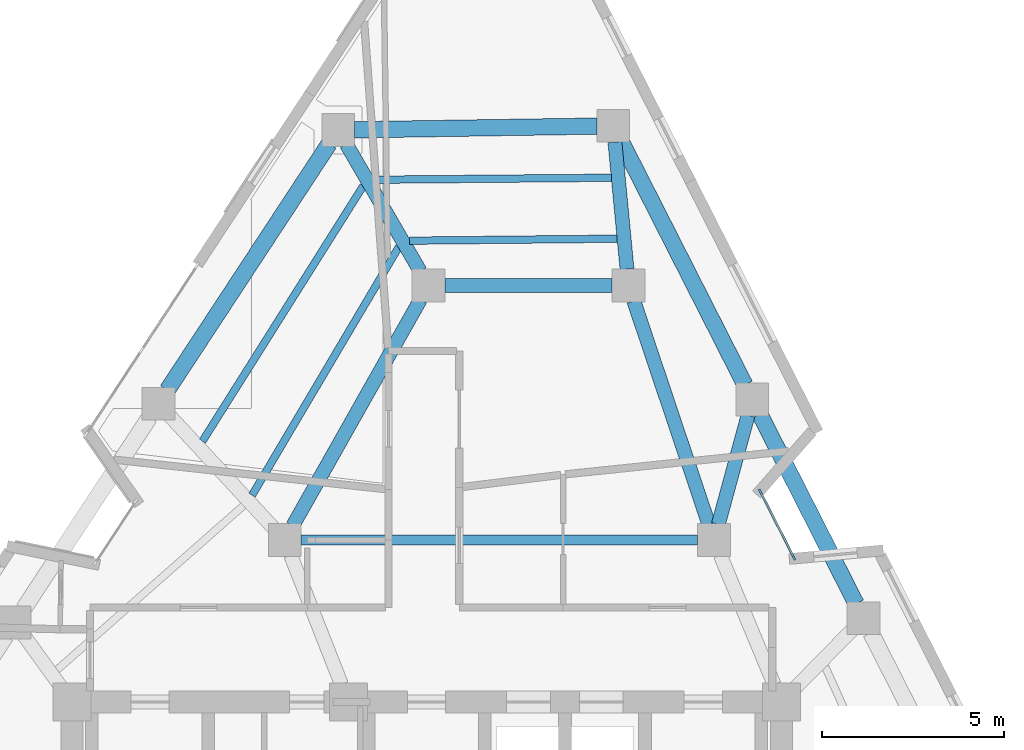
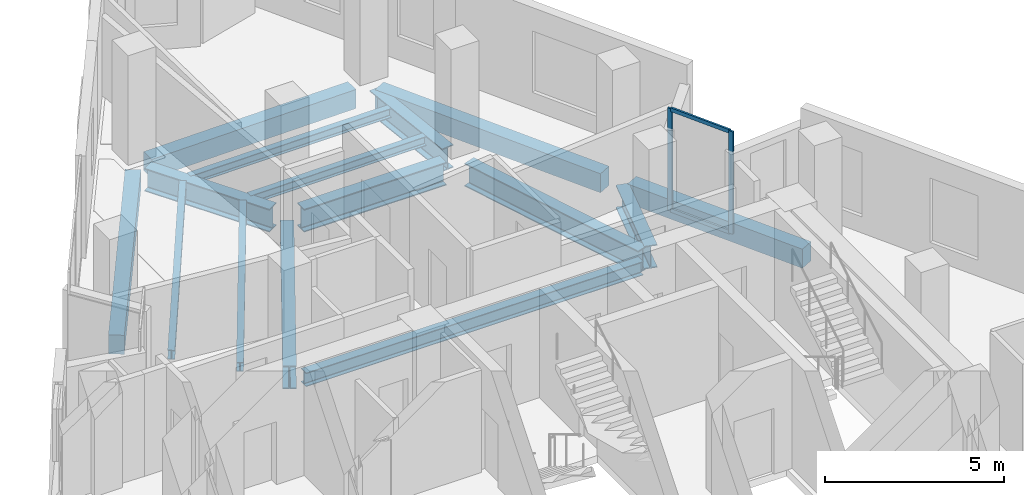
# One storey, part 3 of 8: 15 beams, 4 members, 1 element without a shape of its own.
"""IFC4 building model written with IfcOpenShell, lengths in metres."""

from ifc_helpers import new_model, si_unit, direction, frame, origin, origin_2d, place, context, subcontext, project, spatial, rectangle, i_section, extrude, material, layer, layer_set, material_profile, profile_set, type_object, element, aggregate, save


model = new_model("IFC4")

# Units and contexts
model_context = context("Model", 3, precision=1e-05, world=origin(), true_north=direction((0.0, 1.0)))
body_context = subcontext(model_context, "Body", "Model", "MODEL_VIEW")
ifc_project = project(units=[si_unit("LENGTHUNIT", "METRE"), si_unit("AREAUNIT", "SQUARE_METRE"), si_unit("VOLUMEUNIT", "CUBIC_METRE"), si_unit("PLANEANGLEUNIT", "RADIAN"), si_unit("MASSUNIT", "GRAM", prefix="KILO")], contexts=[model_context])

# Site, building, storey
site_placement = place(None, origin())
site = spatial("IfcSite", under=ifc_project, at=site_placement, CompositionType="ELEMENT")
building_placement = place(site_placement, origin())
building = spatial("IfcBuilding", under=site, at=building_placement, Name="Almagre Mirador Tower", CompositionType="ELEMENT")
storey_placement = place(building_placement, frame((0.0, 0.0, 240.75)))
storey = spatial("IfcBuildingStorey", under=building, at=storey_placement, Name="L62", CompositionType="ELEMENT", Elevation=240.75)

# Beams
ifc_material_1 = material(Name="Steel ASTM A992 Grade 50", Category="steel")
ifc_material_profile_1 = material_profile(ifc_material_1, i_section(OverallWidth=0.281982421875, OverallDepth=0.467041015625, WebThickness=0.01220703125, FlangeThickness=0.01953125, FilletRadius=0.01611328125, at=origin_2d()), Name="W18X86")
ifc_profile_set_1 = profile_set([ifc_material_profile_1], Name="Steel ASTM A992 Grade 50")
beam_type_1 = type_object("IfcBeamType", Name="BM-BAL-W18X86", PredefinedType="JOIST", material=ifc_profile_set_1)
beam_1_placement = place(storey_placement, frame((33.85009765625, 19.199951171875, -0.4833984375), z_axis=(1.0, 0.0, 0.0), x_axis=(0.0, 1.0, 0.0)))
element("IfcBeam", 1, at=beam_1_placement, inside=storey, type_object=beam_type_1, Name="L62 secondary header beam BB-01", PredefinedType="JOIST", context=body_context, shape_type="SweptSolid", body=[
    extrude(i_section(OverallWidth=0.281982421875, OverallDepth=0.467041015625, WebThickness=0.01220703125, FlangeThickness=0.01953125, FilletRadius=0.01611328125, at=origin_2d()), origin(), (0.0, 0.0, 1.0), 10.89990234375),
])
ifc_material_2 = material(Name="Steel ASTM A992 Grade 50", Category="steel")
ifc_material_profile_2 = material_profile(ifc_material_2, i_section(OverallWidth=0.205078125, OverallDepth=0.31005859375, WebThickness=0.009521484375, FlangeThickness=0.016357421875, FilletRadius=0.013916015625, at=origin_2d()), Name="W12X50")
ifc_profile_set_2 = profile_set([ifc_material_profile_2], Name="Steel ASTM A992 Grade 50")
beam_type_2 = type_object("IfcBeamType", Name="BM-JST-W12X50", PredefinedType="JOIST", material=ifc_profile_set_2)
beam_2_placement = place(storey_placement, frame((42.375732421875, 29.158447265625, -0.405029296875), z_axis=(-0.999965144262, -0.008349267155, 0.0), x_axis=(0.008349267155, -0.999965144262, 0.0)))
element("IfcBeam", 2, at=beam_2_placement, inside=storey, type_object=beam_type_2, Name="L62 secondary floor joist PC08-PC09.1", PredefinedType="JOIST", context=body_context, shape_type="SweptSolid", body=[
    extrude(i_section(OverallWidth=0.205078125, OverallDepth=0.31005859375, WebThickness=0.009521484375, FlangeThickness=0.016357421875, FilletRadius=0.013916015625, at=origin_2d()), origin(), (0.0, 0.0, 1.0), 6.520751953125),
])
beam_3_placement = place(storey_placement, frame((42.535400390625, 27.4833984375, -0.405029296875), z_axis=(-0.999954079437, -0.009583267608, 0.0), x_axis=(0.009583267608, -0.999954079437, 0.0)))
element("IfcBeam", 3, at=beam_3_placement, inside=storey, type_object=beam_type_2, Name="L62 secondary floor joist PC08-PC09.3", PredefinedType="JOIST", context=body_context, shape_type="SweptSolid", body=[
    extrude(i_section(OverallWidth=0.205078125, OverallDepth=0.31005859375, WebThickness=0.009521484375, FlangeThickness=0.016357421875, FilletRadius=0.013916015625, at=origin_2d()), origin(), (0.0, 0.0, 1.0), 5.70654296875),
])
beam_4_placement = place(storey_placement, frame((35.560791015625, 28.93994140625, -0.405029296875), z_axis=(-0.532893621274, -0.846182243022, 0.0), x_axis=(0.846182243022, -0.532893621274, 0.0)))
element("IfcBeam", 4, at=beam_4_placement, inside=storey, type_object=beam_type_2, Name="L62 secondary floor joist PC09-PC10.1", PredefinedType="JOIST", context=body_context, shape_type="SweptSolid", body=[
    extrude(i_section(OverallWidth=0.205078125, OverallDepth=0.31005859375, WebThickness=0.009521484375, FlangeThickness=0.016357421875, FilletRadius=0.013916015625, at=origin_2d()), origin(), (0.0, 0.0, 1.0), 8.300048828125),
])
beam_5_placement = place(storey_placement, frame((36.539306640625, 27.26171875, -0.405029296875), z_axis=(-0.508800898963, -0.860884222886, 0.0), x_axis=(0.860884222886, -0.508800898963, 0.0)))
element("IfcBeam", 5, at=beam_5_placement, inside=storey, type_object=beam_type_2, Name="L62 secondary floor joist PC09-PC10.3", PredefinedType="JOIST", context=body_context, shape_type="SweptSolid", body=[
    extrude(i_section(OverallWidth=0.205078125, OverallDepth=0.31005859375, WebThickness=0.009521484375, FlangeThickness=0.016357421875, FilletRadius=0.013916015625, at=origin_2d()), origin(), (0.0, 0.0, 1.0), 7.927734375),
])
ifc_material_3 = material(Name="Precast concrete C50/60", Category="concrete")
ifc_material_profile_3 = material_profile(ifc_material_3, rectangle(XDim=0.449951171875, YDim=0.64990234375, at=origin_2d()), Name="RC450X650")
ifc_profile_set_3 = profile_set([ifc_material_profile_3], Name="Precast concrete C50/60")
beam_type_3 = type_object("IfcBeamType", Name="BM-SPN-RC450X650", PredefinedType="SPANDREL", material=ifc_profile_set_3)
beam_6_placement = place(storey_placement, frame((49.104248046875, 17.4501953125, -0.574951171875), z_axis=(-0.452899170526, 0.891561742863, 0.0), x_axis=(-0.891561742863, -0.452899170526, 0.0)))
element("IfcBeam", 6, at=beam_6_placement, inside=storey, type_object=beam_type_3, Name="L62 perimeter spandrel beam PC06-PC07", PredefinedType="SPANDREL", context=body_context, shape_type="SweptSolid", body=[
    extrude(rectangle(XDim=0.449951171875, YDim=0.64990234375, at=origin_2d()), origin(), (0.0, 0.0, 1.0), 5.84765625),
])
beam_7_placement = place(storey_placement, frame((46.048095703125, 23.46630859375, -0.574951171875), z_axis=(-0.452894484788, 0.891564123128, 0.0), x_axis=(-0.891564123128, -0.452894484788, 0.0)))
element("IfcBeam", 7, at=beam_7_placement, inside=storey, type_object=beam_type_3, Name="L62 perimeter spandrel beam PC07-PC08", PredefinedType="SPANDREL", context=body_context, shape_type="SweptSolid", body=[
    extrude(rectangle(XDim=0.449951171875, YDim=0.64990234375, at=origin_2d()), origin(), (0.0, 0.0, 1.0), 7.534423828125),
])
beam_8_placement = place(storey_placement, frame((41.982177734375, 30.578125, -0.574951171875), z_axis=(-0.999882180075, -0.015350112976, 0.0), x_axis=(0.015350112976, -0.999882180075, 0.0)))
element("IfcBeam", 8, at=beam_8_placement, inside=storey, type_object=beam_type_3, Name="L62 perimeter spandrel beam PC08-PC09", PredefinedType="SPANDREL", context=body_context, shape_type="SweptSolid", body=[
    extrude(rectangle(XDim=0.449951171875, YDim=0.64990234375, at=origin_2d()), origin(), (0.0, 0.0, 1.0), 6.6640625),
])
beam_9_placement = place(storey_placement, frame((34.621826171875, 30.093017578125, -0.574951171875), z_axis=(-0.54903769876, -0.835797586345, 0.0), x_axis=(0.835797586345, -0.54903769876, 0.0)))
element("IfcBeam", 9, at=beam_9_placement, inside=storey, type_object=beam_type_3, Name="L62 perimeter spandrel beam PC09-PC10", PredefinedType="SPANDREL", context=body_context, shape_type="SweptSolid", body=[
    extrude(rectangle(XDim=0.449951171875, YDim=0.64990234375, at=origin_2d()), origin(), (0.0, 0.0, 1.0), 8.097412109375),
])
ifc_material_4 = material(Name="Steel ASTM A992 Grade 50", Category="steel")
ifc_material_profile_4 = material_profile(ifc_material_4, i_section(OverallWidth=0.384033203125, OverallDepth=0.784912109375, WebThickness=0.019775390625, FlangeThickness=0.033447265625, FilletRadius=0.02392578125, at=origin_2d()), Name="W30X211")
ifc_profile_set_4 = profile_set([ifc_material_profile_4], Name="Steel ASTM A992 Grade 50")
beam_type_4 = type_object("IfcBeamType", Name="BM-STL-W30X211", PredefinedType="BEAM", material=ifc_profile_set_4)
beam_10_placement = place(storey_placement, frame((37.800048828125, 26.199951171875, -0.642578125), z_axis=(1.0, 0.0, 0.0), x_axis=(0.0, 1.0, 0.0)))
element("IfcBeam", 10, at=beam_10_placement, inside=storey, type_object=beam_type_4, Name="L62 core tie girder MC7-MC6", PredefinedType="BEAM", context=body_context, shape_type="SweptSolid", body=[
    extrude(i_section(OverallWidth=0.384033203125, OverallDepth=0.784912109375, WebThickness=0.019775390625, FlangeThickness=0.033447265625, FilletRadius=0.02392578125, at=origin_2d()), origin(), (0.0, 0.0, 1.0), 4.599853515625),
])
beam_11_placement = place(storey_placement, frame((42.9931640625, 25.7734375, -0.642578125), z_axis=(0.318282890726, -0.947995781357, 0.0), x_axis=(0.947995781357, 0.318282890726, 0.0)))
element("IfcBeam", 11, at=beam_11_placement, inside=storey, type_object=beam_type_4, Name="L62 core tie girder MC6-MC5", PredefinedType="BEAM", context=body_context, shape_type="SweptSolid", body=[
    extrude(i_section(OverallWidth=0.384033203125, OverallDepth=0.784912109375, WebThickness=0.019775390625, FlangeThickness=0.033447265625, FilletRadius=0.02392578125, at=origin_2d()), origin(), (0.0, 0.0, 1.0), 6.48388671875),
])
beam_12_placement = place(storey_placement, frame((37.12890625, 25.80810546875, -0.642578125), z_axis=(-0.491446261843, -0.870907900825, 0.0), x_axis=(0.870907900825, -0.491446261843, 0.0)))
element("IfcBeam", 12, at=beam_12_placement, inside=storey, type_object=beam_type_4, Name="L62 core tie girder MC7-MC8", PredefinedType="BEAM", context=body_context, shape_type="SweptSolid", body=[
    extrude(i_section(OverallWidth=0.384033203125, OverallDepth=0.784912109375, WebThickness=0.019775390625, FlangeThickness=0.033447265625, FilletRadius=0.02392578125, at=origin_2d()), origin(), (0.0, 0.0, 1.0), 7.1376953125),
])
beam_13_placement = place(storey_placement, frame((46.1337890625, 22.630859375, -0.642578125), z_axis=(-0.26264509324, -0.964892509556, 0.0), x_axis=(0.964892509556, -0.26264509324, 0.0)))
element("IfcBeam", 13, at=beam_13_placement, inside=storey, type_object=beam_type_4, Name="L62 radial floor girder PC07-MC5", PredefinedType="BEAM", context=body_context, shape_type="SweptSolid", body=[
    extrude(i_section(OverallWidth=0.384033203125, OverallDepth=0.784912109375, WebThickness=0.019775390625, FlangeThickness=0.033447265625, FilletRadius=0.02392578125, at=origin_2d()), origin(), (0.0, 0.0, 1.0), 3.105712890625),
])
beam_14_placement = place(storey_placement, frame((42.474609375, 30.136962890625, -0.642578125), z_axis=(0.094943868269, -0.995482627612, 0.0), x_axis=(0.995482627612, 0.094943868269, 0.0)))
element("IfcBeam", 14, at=beam_14_placement, inside=storey, type_object=beam_type_4, Name="L62 radial floor girder PC08-MC6", PredefinedType="BEAM", context=body_context, shape_type="SweptSolid", body=[
    extrude(i_section(OverallWidth=0.384033203125, OverallDepth=0.784912109375, WebThickness=0.019775390625, FlangeThickness=0.033447265625, FilletRadius=0.02392578125, at=origin_2d()), origin(), (0.0, 0.0, 1.0), 3.5048828125),
])
beam_15_placement = place(storey_placement, frame((35.09521484375, 30.079833984375, -0.642578125), z_axis=(0.502449130804, -0.864606772443, 0.0), x_axis=(0.864606772443, 0.502449130804, 0.0)))
element("IfcBeam", 15, at=beam_15_placement, inside=storey, type_object=beam_type_4, Name="L62 radial floor girder PC09-MC7", PredefinedType="BEAM", context=body_context, shape_type="SweptSolid", body=[
    extrude(i_section(OverallWidth=0.384033203125, OverallDepth=0.784912109375, WebThickness=0.019775390625, FlangeThickness=0.033447265625, FilletRadius=0.02392578125, at=origin_2d()), origin(), (0.0, 0.0, 1.0), 4.037353515625),
])

# Curtain wall, members
ifc_material_5 = material(Name="Black anodized aluminium", Category="aluminium")
ifc_layer = layer(ifc_material_5, 0.169921875)
ifc_layer_set = layer_set([ifc_layer], Name="Black anodized aluminium")
curtain_wall_type = type_object("IfcCurtainWallType", Name="CW-CRS-SYS", PredefinedType="NOTDEFINED", material=ifc_layer_set)
curtain_wall_placement = place(storey_placement, origin())
curtain_wall = element("IfcCurtainWall", 16, at=curtain_wall_placement, inside=storey, type_object=curtain_wall_type, Name="L62 vertical crease curtain wall 03", PredefinedType="NOTDEFINED")
ifc_material_6 = material(Name="Black anodized aluminium", Category="aluminium")
ifc_material_profile_5 = material_profile(ifc_material_6, rectangle(XDim=0.06005859375, YDim=0.14990234375, at=origin_2d()), Name="CWM60X150")
ifc_profile_set_5 = profile_set([ifc_material_profile_5], Name="Black anodized aluminium")
member_type_1 = type_object("IfcMemberType", Name="MBR-CWM60X150", PredefinedType="MULLION", material=ifc_profile_set_5)
member_1_placement = place(storey_placement, frame((46.4736328125, 20.53125, 0.0), z_axis=(0.0, 0.0, 1.0), x_axis=(0.891634073626, 0.452756754504, 0.0)))
member_1 = element("IfcMember", 17, at=member_1_placement, type_object=member_type_1, Name="CW-4 mullion 1", PredefinedType="MULLION", context=body_context, shape_type="SweptSolid", body=[
    extrude(rectangle(XDim=0.06005859375, YDim=0.14990234375, at=origin_2d()), origin(), (0.0, 0.0, 1.0), 3.5),
])
member_2_placement = place(storey_placement, frame((47.392333984375, 18.7216796875, 0.0), z_axis=(0.0, 0.0, 1.0), x_axis=(0.891634073626, 0.452756754504, 0.0)))
member_2 = element("IfcMember", 18, at=member_2_placement, type_object=member_type_1, Name="CW-4 mullion 2", PredefinedType="MULLION", context=body_context, shape_type="SweptSolid", body=[
    extrude(rectangle(XDim=0.06005859375, YDim=0.14990234375, at=origin_2d()), origin(), (0.0, 0.0, 1.0), 3.5),
])
ifc_material_7 = material(Name="Black anodized aluminium", Category="aluminium")
ifc_material_profile_6 = material_profile(ifc_material_7, rectangle(XDim=0.06005859375, YDim=0.1298828125, at=origin_2d()), Name="CWT60X130")
ifc_profile_set_6 = profile_set([ifc_material_profile_6], Name="Black anodized aluminium")
member_type_2 = type_object("IfcMemberType", Name="MBR-CWT60X130", PredefinedType="USERDEFINED", material=ifc_profile_set_6)
member_3_placement = place(storey_placement, frame((46.487060546875, 20.50439453125, 0.030029296875), z_axis=(0.452857635814, -0.891582840618, 0.0), x_axis=(0.891582840618, 0.452857635814, 0.0)))
member_3 = element("IfcMember", 19, at=member_3_placement, type_object=member_type_2, Name="CW-4 transom 1.1", ObjectType="TRANSOM", PredefinedType="USERDEFINED", context=body_context, shape_type="SweptSolid", body=[
    extrude(rectangle(XDim=0.06005859375, YDim=0.1298828125, at=origin_2d()), origin(), (0.0, 0.0, 1.0), 1.969482421875),
])
member_4_placement = place(storey_placement, frame((46.487060546875, 20.50439453125, 3.469970703125), z_axis=(0.452857635814, -0.891582840618, 0.0), x_axis=(0.891582840618, 0.452857635814, 0.0)))
member_4 = element("IfcMember", 20, at=member_4_placement, type_object=member_type_2, Name="CW-4 transom 1.2", ObjectType="TRANSOM", PredefinedType="USERDEFINED", context=body_context, shape_type="SweptSolid", body=[
    extrude(rectangle(XDim=0.06005859375, YDim=0.1298828125, at=origin_2d()), origin(), (0.0, 0.0, 1.0), 1.969482421875),
])
aggregate(curtain_wall, [member_1, member_2, member_3, member_4])

save(model, "model.ifc")
